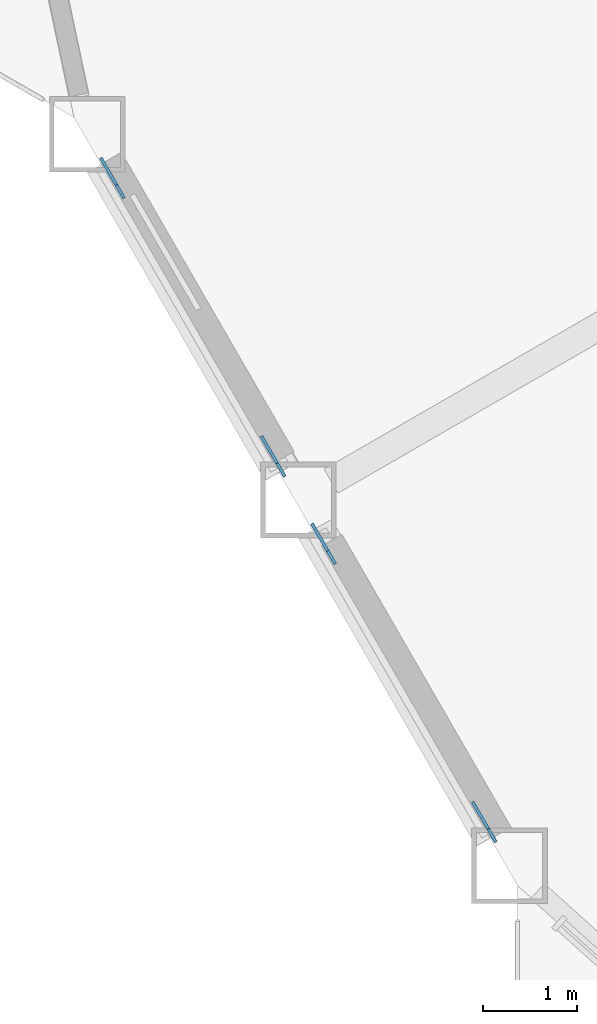
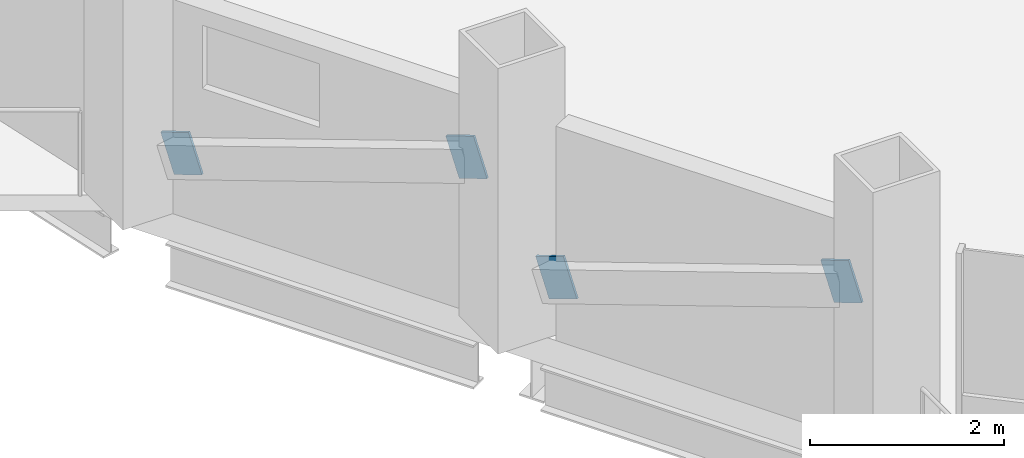
# One storey, part 17 of 24: 4 discrete accessories.
"""IFC4 building model written with IfcOpenShell, lengths in metres."""

from ifc_helpers import new_model, si_unit, direction, frame, origin, origin_2d, place, context, subcontext, project, spatial, rectangle, extrude, material, material_profile, profile_set, type_object, element, save


model = new_model("IFC4")

# Units and contexts
model_context = context("Model", 3, precision=1e-05, world=origin(), true_north=direction((0.0, 1.0)))
body_context = subcontext(model_context, "Body", "Model", "MODEL_VIEW")
ifc_project = project(units=[si_unit("LENGTHUNIT", "METRE"), si_unit("AREAUNIT", "SQUARE_METRE"), si_unit("VOLUMEUNIT", "CUBIC_METRE"), si_unit("PLANEANGLEUNIT", "RADIAN"), si_unit("MASSUNIT", "GRAM", prefix="KILO")], contexts=[model_context])

# Site, building, storey
site_placement = place(None, origin())
site = spatial("IfcSite", under=ifc_project, at=site_placement, CompositionType="ELEMENT")
building_placement = place(site_placement, origin())
building = spatial("IfcBuilding", under=site, at=building_placement, Name="Cormorant Prow Tower", CompositionType="ELEMENT")
storey_placement = place(building_placement, frame((0.0, 0.0, 205.199951171875)))
storey = spatial("IfcBuildingStorey", under=building, at=storey_placement, Name="L45", CompositionType="ELEMENT", Elevation=205.199951171875)

# Discrete accessories
ifc_material = material(Name="Structural steel ASTM A500 Gr C", Category="steel")
ifc_material_profile = material_profile(ifc_material, rectangle(XDim=0.031982421875, YDim=0.506103515625, at=origin_2d()), Name="Gusset plate 32x506")
ifc_profile_set = profile_set([ifc_material_profile], Name="Structural steel ASTM A500 Gr C")
discrete_accessory_type = type_object("IfcDiscreteAccessoryType", Name="Gusset plate 32x506", PredefinedType="BRACKET", material=ifc_profile_set)
for number, where, z_axis, x_axis, name in (
    (1, (-29.943359375, -12.935791015625, 0.835693359375), (-0.473631655621, 0.821008039272, -0.31877712315), (-0.866197837791, -0.499701216534, 0.0), "Gusset plate GP2 L45.WSW00.g0"),
    (2, (-28.40966796875, -15.59228515625, 1.865478515625), (0.4742777402, -0.820918970906, 0.31804507284), (0.86587923604, 0.500253084543, 0.0), "Gusset plate GP2 L45.WSW00.g1"),
    (3, (-27.7080078125, -16.807373046875, 0.835693359375), (-0.474172452765, 0.820736730742, -0.318671780755), (-0.86587923604, -0.500253084543, 0.0), "Gusset plate GP2 L45.WSW01.g0"),
):
    element("IfcDiscreteAccessory", number, at=place(storey_placement, frame(where, z_axis=z_axis, x_axis=x_axis)), inside=storey, type_object=discrete_accessory_type, Name=name, PredefinedType="BRACKET", context=body_context, shape_type="SweptSolid", body=[
        extrude(rectangle(XDim=0.031982421875, YDim=0.506103515625, at=origin_2d()), origin(), (0.0, 0.0, 1.0), 0.35009765625),
    ])
discrete_accessory_placement = place(storey_placement, frame((-26.17431640625, -19.463623046875, 1.865478515625), z_axis=(0.47373689254, -0.821190460264, 0.318150254784), x_axis=(0.866197837791, 0.499701216534, 0.0)))
element("IfcDiscreteAccessory", 4, at=discrete_accessory_placement, inside=storey, type_object=discrete_accessory_type, Name="Gusset plate GP2 L45.WSW01.g1", PredefinedType="BRACKET", context=body_context, shape_type="SweptSolid", body=[
    extrude(rectangle(XDim=0.031982421875, YDim=0.506103515625, at=origin_2d()), origin(), (0.0, 0.0, 1.0), 0.349853515625),
])

save(model, "model.ifc")
